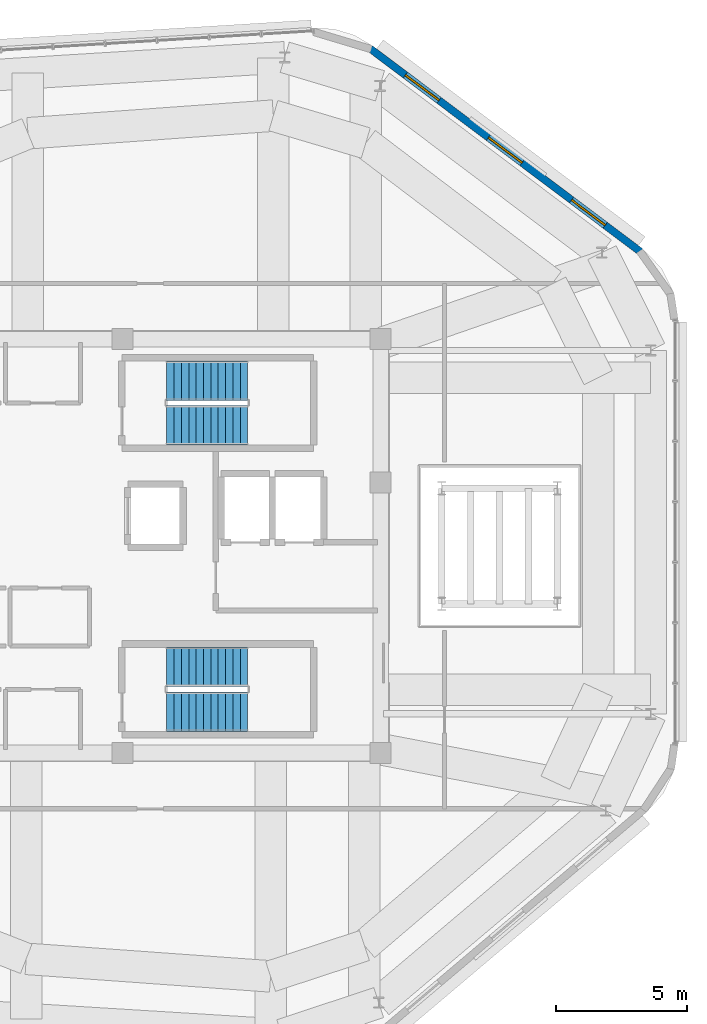
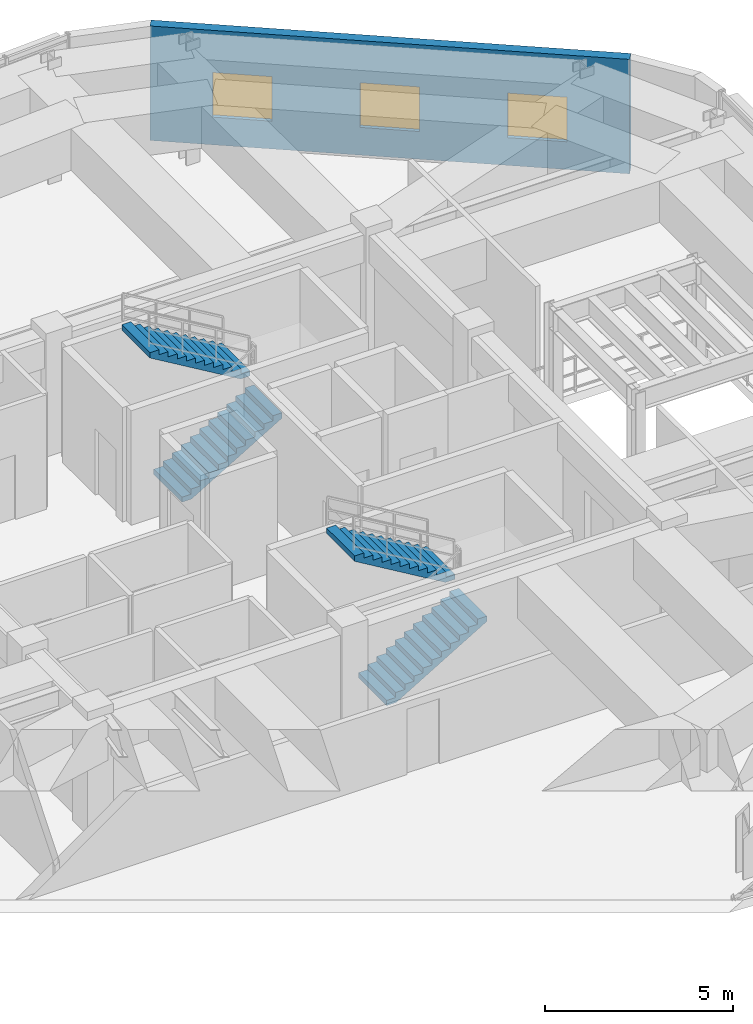
# One storey, part 16 of 17: 4 stair flights, 3 windows, 1 wall, 3 openings, 2 elements without a shape of their own.
"""IFC4 building model written with IfcOpenShell, lengths in metres."""

import ifcopenshell
import ifcopenshell.guid

model = None  # the IFC model being written
_history = None  # IfcOwnerHistory: only IFC2X3 demands one
_inside = {}  # id of a spatial element -> (the spatial element, [elements in it])
_under = {}  # id of a project, library or spatial element -> (it, [spatial elements below it])
_declared = {}  # id of a project -> (the project, [libraries it declares])
_typed = {}  # id of a type object -> (the type object, [elements of that type])
_made_of = {}  # id of a material, layer set ... -> (it, [elements and type objects made of it])


def new_model(schema):
    """Start an empty IFC model of exactly this schema.

    Asked for "IFC4X3", IfcOpenShell would pick the latest addendum, in which some entities
    have other attributes; the version numbers below select the first issue.
    IFC2X3 requires an IfcOwnerHistory on every rooted entity: one is made here for all.
    """
    global model, _history
    if schema == "IFC4X3":
        model = ifcopenshell.file(schema_version=(4, 3, 0, 0))
    else:
        model = ifcopenshell.file(schema=schema)
    _inside.clear()
    _under.clear()
    _declared.clear()
    _typed.clear()
    _made_of.clear()
    _history = None
    if model.schema == "IFC2X3":
        org = make("IfcOrganization", Name="unknown")
        user = make(
            "IfcPersonAndOrganization",
            ThePerson=make("IfcPerson", FamilyName="unknown"),
            TheOrganization=org,
        )
        app = make(
            "IfcApplication",
            ApplicationDeveloper=org,
            Version="unknown",
            ApplicationFullName="unknown",
            ApplicationIdentifier="unknown",
        )
        _history = make(
            "IfcOwnerHistory",
            OwningUser=user,
            OwningApplication=app,
            ChangeAction="ADDED",
            CreationDate=0,
        )
    return model


def make(cls, **values):
    """One entity of the class cls with the attributes given. An attribute that is None is left unset."""
    return model.create_entity(
        cls, **{name: value for name, value in values.items() if value is not None}
    )


def rooted(cls, **values):
    """An entity with a GlobalId (a new one), such as an element, a storey or a relation."""
    return make(cls, GlobalId=ifcopenshell.guid.new(), OwnerHistory=_history, **values)


def si_unit(unit_type, name, prefix=None):
    """IfcSIUnit, for example si_unit("LENGTHUNIT", "METRE", prefix="MILLI")."""
    return make("IfcSIUnit", UnitType=unit_type, Prefix=prefix, Name=name)


def assignment(units):
    """IfcUnitAssignment: the units of a project."""
    return None if units is None else make("IfcUnitAssignment", Units=units)


def point(xyz):
    """IfcCartesianPoint."""
    return None if xyz is None else make("IfcCartesianPoint", Coordinates=xyz)


def direction(xyz):
    """IfcDirection."""
    return None if xyz is None else make("IfcDirection", DirectionRatios=xyz)


def frame(location, z_axis=None, x_axis=None):
    """IfcAxis2Placement3D, a coordinate frame: its origin and axes. An axis left out is left unset."""
    return make(
        "IfcAxis2Placement3D",
        Location=point(location),
        Axis=direction(z_axis),
        RefDirection=direction(x_axis),
    )


def frame_2d(location, x_axis=None):
    """IfcAxis2Placement2D, a coordinate frame in the plane: its origin and x axis."""
    return make(
        "IfcAxis2Placement2D", Location=point(location), RefDirection=direction(x_axis)
    )


def origin():
    """The frame at (0, 0, 0) with its axes left unset."""
    return frame((0.0, 0.0, 0.0))


def place(relative_to, where):
    """IfcLocalPlacement: puts the frame where relative to a parent placement (None: the world)."""
    return make(
        "IfcLocalPlacement", PlacementRelTo=relative_to, RelativePlacement=where
    )


def context(
    kind, dimensions, precision=None, world=None, true_north=None, identifier=None
):
    """IfcGeometricRepresentationContext, for example the 3D "Model" context."""
    return make(
        "IfcGeometricRepresentationContext",
        ContextIdentifier=identifier,
        ContextType=kind,
        CoordinateSpaceDimension=dimensions,
        Precision=precision,
        WorldCoordinateSystem=world,
        TrueNorth=true_north,
    )


def subcontext(parent, identifier, kind, view, scale=None):
    """IfcGeometricRepresentationSubContext, for example "Body" below "Model"."""
    return make(
        "IfcGeometricRepresentationSubContext",
        ContextIdentifier=identifier,
        ContextType=kind,
        ParentContext=parent,
        TargetScale=scale,
        TargetView=view,
    )


def project(units=None, contexts=None):
    """IfcProject with its units and contexts."""
    return rooted(
        "IfcProject",
        Name="project",
        RepresentationContexts=contexts,
        UnitsInContext=assignment(units),
    )


def spatial(cls, under=None, at=None, **own):
    """A site, building, storey or space (cls), placed at a placement, below another one or the project."""
    s = rooted(cls, ObjectPlacement=at, **own)
    if under is not None:
        _under.setdefault(under.id(), (under, []))[1].append(s)
    return s


def polyline(points):
    """IfcPolyline through the points."""
    return make("IfcPolyline", Points=[point(p) for p in points])


def profile(cls, at=None, kind="AREA", **sizes):
    """A parametric profile (cls). Its sizes go by their IFC names, for example OverallWidth=200.0."""
    return make(cls, ProfileType=kind, Position=at, **sizes)


def rectangle(**sizes):
    """IfcRectangleProfileDef."""
    return profile("IfcRectangleProfileDef", **sizes)


def outline(outer, holes=None, kind="AREA"):
    """IfcArbitraryClosedProfileDef: a profile drawn as a closed curve; with holes, ...WithVoids."""
    if holes is None:
        return make("IfcArbitraryClosedProfileDef", ProfileType=kind, OuterCurve=outer)
    return make(
        "IfcArbitraryProfileDefWithVoids",
        ProfileType=kind,
        OuterCurve=outer,
        InnerCurves=holes,
    )


def extrude(swept, where, along, depth):
    """IfcExtrudedAreaSolid: the profile swept, set in the frame where, extruded along a direction by depth."""
    return make(
        "IfcExtrudedAreaSolid",
        SweptArea=swept,
        Position=where,
        ExtrudedDirection=direction(along),
        Depth=depth,
    )


def shape(context_of_items, identifier, shape_type, items):
    """IfcShapeRepresentation: the items that make up one representation, for example the "Body"."""
    return make(
        "IfcShapeRepresentation",
        ContextOfItems=context_of_items,
        RepresentationIdentifier=identifier,
        RepresentationType=shape_type,
        Items=items,
    )


def material(Name=None, Category=None):
    """IfcMaterial."""
    return make("IfcMaterial", Name=Name, Category=Category)


def layer(
    of_material, thickness, ventilated=None, Name=None, Category=None, Priority=None
):
    """IfcMaterialLayer: one layer of a wall or slab, of a material (None: an air gap)."""
    return make(
        "IfcMaterialLayer",
        Material=of_material,
        LayerThickness=thickness,
        IsVentilated=ventilated,
        Name=Name,
        Category=Category,
        Priority=Priority,
    )


def layer_set(layers, Name=None):
    """IfcMaterialLayerSet."""
    return make("IfcMaterialLayerSet", MaterialLayers=layers, LayerSetName=Name)


def made_of(thing, what):
    """Note that an element or type object is made of a material, layer set ...; save() writes the relation."""
    if what is not None:
        _made_of.setdefault(what.id(), (what, []))[1].append(thing)
    return thing


def type_object(cls, material=None, **own):
    """A type object (cls), such as IfcWallType, which elements share."""
    return made_of(rooted(cls, **own), material)


def element(
    cls,
    number,
    at=None,
    inside=None,
    cuts=None,
    type_object=None,
    material=None,
    context=None,
    identifier="Body",
    shape_type=None,
    held_by="IfcProductDefinitionShape",
    body=None,
    shapes=None,
    **own,
):
    """One element of the class cls, such as IfcWall. Its Tag is "e" and its number.

    at: its placement. inside: the storey or other place that contains it. cuts: it is an
    opening in that element (IfcRelVoidsElement). A single representation is given by context,
    identifier, shape_type and body (its items); several are given by shapes. held_by: the class
    of the entity that holds the representations. save() writes the other relations.
    """
    e = rooted(cls, Tag="e%d" % number, ObjectPlacement=at, **own)
    if body is not None:
        shapes = [shape(context, identifier, shape_type, body)]
    if shapes is not None:
        e.Representation = make(held_by, Representations=shapes)
    if inside is not None:
        _inside.setdefault(inside.id(), (inside, []))[1].append(e)
    if cuts is not None:
        rooted(
            "IfcRelVoidsElement", RelatingBuildingElement=cuts, RelatedOpeningElement=e
        )
    if type_object is not None:
        _typed.setdefault(type_object.id(), (type_object, []))[1].append(e)
    return made_of(e, material)


def fill(opening, filler):
    """IfcRelFillsElement: the door or window that sits in an opening."""
    return rooted(
        "IfcRelFillsElement",
        RelatingOpeningElement=opening,
        RelatedBuildingElement=filler,
    )


def aggregate(whole, parts):
    """IfcRelAggregates: a whole, such as a stair, and the parts it consists of."""
    return rooted("IfcRelAggregates", RelatingObject=whole, RelatedObjects=parts)


def save(model, path):
    """Write the relations noted so far, then the file.

    IfcRelAggregates (storeys below a building ...), IfcRelContainedInSpatialStructure (elements
    in a storey), IfcRelDefinesByType, IfcRelAssociatesMaterial and IfcRelDeclares: one each for
    every whole, place, type object, material and project.
    """
    for whole, parts in _under.values():
        aggregate(whole, parts)
    for where, things in _inside.values():
        rooted(
            "IfcRelContainedInSpatialStructure",
            RelatedElements=things,
            RelatingStructure=where,
        )
    for kind, things in _typed.values():
        rooted("IfcRelDefinesByType", RelatedObjects=things, RelatingType=kind)
    for what, things in _made_of.values():
        rooted("IfcRelAssociatesMaterial", RelatedObjects=things, RelatingMaterial=what)
    for by, libraries in _declared.values():
        rooted("IfcRelDeclares", RelatingContext=by, RelatedDefinitions=libraries)
    model.write(path)


model = new_model("IFC4")

# Units and contexts
model_context = context("Model", 3, precision=1e-05, world=origin(), true_north=direction((0.0, 1.0)))
body_context = subcontext(model_context, "Body", "Model", "MODEL_VIEW")
ifc_project = project(units=[si_unit("LENGTHUNIT", "METRE"), si_unit("AREAUNIT", "SQUARE_METRE"), si_unit("VOLUMEUNIT", "CUBIC_METRE"), si_unit("PLANEANGLEUNIT", "RADIAN"), si_unit("MASSUNIT", "GRAM", prefix="KILO")], contexts=[model_context])

# Site, building, storey
site_placement = place(None, origin())
site = spatial("IfcSite", under=ifc_project, at=site_placement, CompositionType="ELEMENT")
building_placement = place(site_placement, origin())
building = spatial("IfcBuilding", under=site, at=building_placement, Name="Zulverin Broadcast Headquarters", CompositionType="ELEMENT")
storey_placement = place(building_placement, frame((0.0, 0.0, 317.39990234375)))
storey = spatial("IfcBuildingStorey", under=building, at=storey_placement, Name="C2", CompositionType="ELEMENT", Elevation=317.39990234375)

# Wall, openings, windows
ifc_material_1 = material(Name="Insulated pale-metal clad concrete spandrel C40/50", Category="concrete")
ifc_layer = layer(ifc_material_1, 0.280029296875, Name="Insulated pale-metal clad concrete spandrel C40/50", Category="concrete")
ifc_layer_set = layer_set([ifc_layer], Name="Insulated pale-metal clad concrete spandrel C40/50")
wall_type = type_object("IfcWallType", Name="WL-EXT-280", PredefinedType="STANDARD", material=ifc_layer_set)
wall_placement = place(storey_placement, frame((58.15869140625, 36.404296875, 0.0), z_axis=(0.0, 0.0, 1.0), x_axis=(-0.799362001769, 0.600849723415, 0.0)))
wall = element("IfcWall", 1, at=wall_placement, inside=storey, type_object=wall_type, Name="C2 Pale-Metal Clad Spandrel Wall 4", PredefinedType="STANDARD", context=body_context, shape_type="SweptSolid", body=[
    extrude(rectangle(XDim=12.86669921875, YDim=0.280029296875, at=frame_2d((6.433349609375, 0.0))), origin(), (0.0, 0.0, 1.0), 3.72021484375),
])
opening_1_placement = place(wall_placement, frame((1.677734375, 0.0, 0.89990234375)))
opening_1 = element("IfcOpeningElement", 2, at=opening_1_placement, cuts=wall, Name="Opening W-C2-E41", PredefinedType="OPENING", context=body_context, shape_type="SweptSolid", body=[
    extrude(rectangle(XDim=1.60009765625, YDim=1.449951171875, at=frame_2d((0.800048828125, 0.72509765625))), frame((0.0, 0.14990234375, 0.0), z_axis=(0.0, -1.0, 0.0), x_axis=(1.0, 0.0, 0.0)), (0.0, 0.0, 1.0), 0.300048828125),
])
opening_2_placement = place(wall_placement, frame((5.63330078125, 0.0, 0.89990234375)))
opening_2 = element("IfcOpeningElement", 3, at=opening_2_placement, cuts=wall, Name="Opening W-C2-E42", PredefinedType="OPENING", context=body_context, shape_type="SweptSolid", body=[
    extrude(rectangle(XDim=1.60009765625, YDim=1.449951171875, at=frame_2d((0.800048828125, 0.72509765625))), frame((0.0, 0.14990234375, 0.0), z_axis=(0.0, -1.0, 0.0), x_axis=(1.0, 0.0, 0.0)), (0.0, 0.0, 1.0), 0.300048828125),
])
opening_3_placement = place(wall_placement, frame((9.589111328125, 0.0, 0.89990234375)))
opening_3 = element("IfcOpeningElement", 4, at=opening_3_placement, cuts=wall, Name="Opening W-C2-E43", PredefinedType="OPENING", context=body_context, shape_type="SweptSolid", body=[
    extrude(rectangle(XDim=1.60009765625, YDim=1.449951171875, at=frame_2d((0.800048828125, 0.72509765625))), frame((0.0, 0.14990234375, 0.0), z_axis=(0.0, -1.0, 0.0), x_axis=(1.0, 0.0, 0.0)), (0.0, 0.0, 1.0), 0.300048828125),
])
ifc_material_2 = material(Name="Pale anodized aluminium frame with solar-control low-E double glazing", Category="aluminium")
window_type = type_object("IfcWindowType", Name="WIN-CRN-1600", PartitioningType="SINGLE_PANEL", PredefinedType="WINDOW", material=ifc_material_2)
window_1_placement = place(opening_1_placement, origin())
window_1 = element("IfcWindow", 5, at=window_1_placement, inside=storey, type_object=window_type, Name="C2 Ribbon Glazing Window 4 1", OverallHeight=1.449951171875, OverallWidth=1.60009765625, PartitioningType="SINGLE_PANEL", PredefinedType="WINDOW", context=body_context, shape_type="SweptSolid", body=[
    extrude(rectangle(XDim=1.60009765625, YDim=1.449951171875, at=frame_2d((0.800048828125, 0.72509765625))), frame((0.0, 0.030029296875, 0.0), z_axis=(0.0, -1.0, 0.0), x_axis=(1.0, 0.0, 0.0)), (0.0, 0.0, 1.0), 0.06005859375),
])
fill(opening_1, window_1)
window_2_placement = place(opening_2_placement, origin())
window_2 = element("IfcWindow", 6, at=window_2_placement, inside=storey, type_object=window_type, Name="C2 Ribbon Glazing Window 4 2", OverallHeight=1.449951171875, OverallWidth=1.60009765625, PartitioningType="SINGLE_PANEL", PredefinedType="WINDOW", context=body_context, shape_type="SweptSolid", body=[
    extrude(rectangle(XDim=1.60009765625, YDim=1.449951171875, at=frame_2d((0.800048828125, 0.72509765625))), frame((0.0, 0.030029296875, 0.0), z_axis=(0.0, -1.0, 0.0), x_axis=(1.0, 0.0, 0.0)), (0.0, 0.0, 1.0), 0.06005859375),
])
fill(opening_2, window_2)
window_3_placement = place(opening_3_placement, origin())
window_3 = element("IfcWindow", 7, at=window_3_placement, inside=storey, type_object=window_type, Name="C2 Ribbon Glazing Window 4 3", OverallHeight=1.449951171875, OverallWidth=1.60009765625, PartitioningType="SINGLE_PANEL", PredefinedType="WINDOW", context=body_context, shape_type="SweptSolid", body=[
    extrude(rectangle(XDim=1.60009765625, YDim=1.449951171875, at=frame_2d((0.800048828125, 0.72509765625))), frame((0.0, 0.030029296875, 0.0), z_axis=(0.0, -1.0, 0.0), x_axis=(1.0, 0.0, 0.0)), (0.0, 0.0, 1.0), 0.06005859375),
])
fill(opening_3, window_3)

# Stair, stair flights
ifc_material_3 = material(Name="Concrete C40/50", Category="concrete")
stair_type = type_object("IfcStairType", Name="ST-CORE-1500", PredefinedType="HALF_TURN_STAIR", material=ifc_material_3)
stair_1_placement = place(storey_placement, origin())
stair_1 = element("IfcStair", 8, at=stair_1_placement, inside=storey, type_object=stair_type, Name="C2 Core Exit Stair ST-1", PredefinedType="HALF_TURN_STAIR")
stair_flight_type = type_object("IfcStairFlightType", Name="SF-CORE-1500", PredefinedType="STRAIGHT", material=ifc_material_3)
stair_flight_1_placement = place(storey_placement, frame((40.1298828125, 29.800048828125, 0.0), z_axis=(0.0, 0.0, 1.0), x_axis=(1.0, 0.0, 0.0)))
stair_flight_1 = element("IfcStairFlight", 9, at=stair_flight_1_placement, type_object=stair_flight_type, Name="ST-1 flight 1", NumberOfRisers=12, NumberOfTreads=11, PredefinedType="STRAIGHT", RiserHeight=0.166666667, TreadLength=0.28, context=body_context, shape_type="SweptSolid", body=[
    extrude(outline(polyline([(0.0, 0.0), (0.0, 0.166748046875), (0.280029296875, 0.166748046875), (0.280029296875, 0.333251953125), (0.56005859375, 0.333251953125), (0.56005859375, 0.5), (0.840087890625, 0.5), (0.840087890625, 0.666748046875), (1.1201171875, 0.666748046875), (1.1201171875, 0.833251953125), (1.39990234375, 0.833251953125), (1.39990234375, 1.0), (1.679931640625, 1.0), (1.679931640625, 1.166748046875), (1.9599609375, 1.166748046875), (1.9599609375, 1.333251953125), (2.239990234375, 1.333251953125), (2.239990234375, 1.5), (2.52001953125, 1.5), (2.52001953125, 1.666748046875), (2.800048828125, 1.666748046875), (2.800048828125, 1.833251953125), (3.080078125, 1.833251953125), (3.080078125, 2.0), (3.080078125, 1.658935546875), (0.29296875, 0.0), (0.0, 0.0)])), frame((0.0, 0.75, 0.0), z_axis=(0.0, -1.0, 0.0), x_axis=(1.0, 0.0, 0.0)), (0.0, 0.0, 1.0), 1.5),
])
stair_flight_2_placement = place(storey_placement, frame((43.2099609375, 31.5, 2.0), z_axis=(0.0, 0.0, 1.0), x_axis=(-1.0, 0.0, 0.0)))
stair_flight_2 = element("IfcStairFlight", 10, at=stair_flight_2_placement, type_object=stair_flight_type, Name="ST-1 flight 2", NumberOfRisers=12, NumberOfTreads=11, PredefinedType="STRAIGHT", RiserHeight=0.166666667, TreadLength=0.28, context=body_context, shape_type="SweptSolid", body=[
    extrude(outline(polyline([(0.0, 0.0), (0.0, 0.166748046875), (0.280029296875, 0.166748046875), (0.280029296875, 0.333251953125), (0.56005859375, 0.333251953125), (0.56005859375, 0.5), (0.840087890625, 0.5), (0.840087890625, 0.666748046875), (1.1201171875, 0.666748046875), (1.1201171875, 0.833251953125), (1.39990234375, 0.833251953125), (1.39990234375, 1.0), (1.679931640625, 1.0), (1.679931640625, 1.166748046875), (1.9599609375, 1.166748046875), (1.9599609375, 1.333251953125), (2.239990234375, 1.333251953125), (2.239990234375, 1.5), (2.52001953125, 1.5), (2.52001953125, 1.666748046875), (2.800048828125, 1.666748046875), (2.800048828125, 1.833251953125), (3.080078125, 1.833251953125), (3.080078125, 2.0), (3.080078125, 1.658935546875), (0.29296875, 0.0), (0.0, 0.0)])), frame((0.0, 0.75, 0.0), z_axis=(0.0, -1.0, 0.0), x_axis=(1.0, 0.0, 0.0)), (0.0, 0.0, 1.0), 1.5),
])
aggregate(stair_1, [stair_flight_1, stair_flight_2])

stair_2_placement = place(storey_placement, origin())
stair_2 = element("IfcStair", 11, at=stair_2_placement, inside=storey, type_object=stair_type, Name="C2 Core Exit Stair ST-2", PredefinedType="HALF_TURN_STAIR")
stair_flight_3_placement = place(storey_placement, frame((40.1298828125, 18.89990234375, 0.0), z_axis=(0.0, 0.0, 1.0), x_axis=(1.0, 0.0, 0.0)))
stair_flight_3 = element("IfcStairFlight", 12, at=stair_flight_3_placement, type_object=stair_flight_type, Name="ST-2 flight 1", NumberOfRisers=12, NumberOfTreads=11, PredefinedType="STRAIGHT", RiserHeight=0.166666667, TreadLength=0.28, context=body_context, shape_type="SweptSolid", body=[
    extrude(outline(polyline([(0.0, 0.0), (0.0, 0.166748046875), (0.280029296875, 0.166748046875), (0.280029296875, 0.333251953125), (0.56005859375, 0.333251953125), (0.56005859375, 0.5), (0.840087890625, 0.5), (0.840087890625, 0.666748046875), (1.1201171875, 0.666748046875), (1.1201171875, 0.833251953125), (1.39990234375, 0.833251953125), (1.39990234375, 1.0), (1.679931640625, 1.0), (1.679931640625, 1.166748046875), (1.9599609375, 1.166748046875), (1.9599609375, 1.333251953125), (2.239990234375, 1.333251953125), (2.239990234375, 1.5), (2.52001953125, 1.5), (2.52001953125, 1.666748046875), (2.800048828125, 1.666748046875), (2.800048828125, 1.833251953125), (3.080078125, 1.833251953125), (3.080078125, 2.0), (3.080078125, 1.658935546875), (0.29296875, 0.0), (0.0, 0.0)])), frame((0.0, 0.75, 0.0), z_axis=(0.0, -1.0, 0.0), x_axis=(1.0, 0.0, 0.0)), (0.0, 0.0, 1.0), 1.5),
])
stair_flight_4_placement = place(storey_placement, frame((43.2099609375, 20.60009765625, 2.0), z_axis=(0.0, 0.0, 1.0), x_axis=(-1.0, 0.0, 0.0)))
stair_flight_4 = element("IfcStairFlight", 13, at=stair_flight_4_placement, type_object=stair_flight_type, Name="ST-2 flight 2", NumberOfRisers=12, NumberOfTreads=11, PredefinedType="STRAIGHT", RiserHeight=0.166666667, TreadLength=0.28, context=body_context, shape_type="SweptSolid", body=[
    extrude(outline(polyline([(0.0, 0.0), (0.0, 0.166748046875), (0.280029296875, 0.166748046875), (0.280029296875, 0.333251953125), (0.56005859375, 0.333251953125), (0.56005859375, 0.5), (0.840087890625, 0.5), (0.840087890625, 0.666748046875), (1.1201171875, 0.666748046875), (1.1201171875, 0.833251953125), (1.39990234375, 0.833251953125), (1.39990234375, 1.0), (1.679931640625, 1.0), (1.679931640625, 1.166748046875), (1.9599609375, 1.166748046875), (1.9599609375, 1.333251953125), (2.239990234375, 1.333251953125), (2.239990234375, 1.5), (2.52001953125, 1.5), (2.52001953125, 1.666748046875), (2.800048828125, 1.666748046875), (2.800048828125, 1.833251953125), (3.080078125, 1.833251953125), (3.080078125, 2.0), (3.080078125, 1.658935546875), (0.29296875, 0.0), (0.0, 0.0)])), frame((0.0, 0.75, 0.0), z_axis=(0.0, -1.0, 0.0), x_axis=(1.0, 0.0, 0.0)), (0.0, 0.0, 1.0), 1.5),
])
aggregate(stair_2, [stair_flight_3, stair_flight_4])

save(model, "model.ifc")
